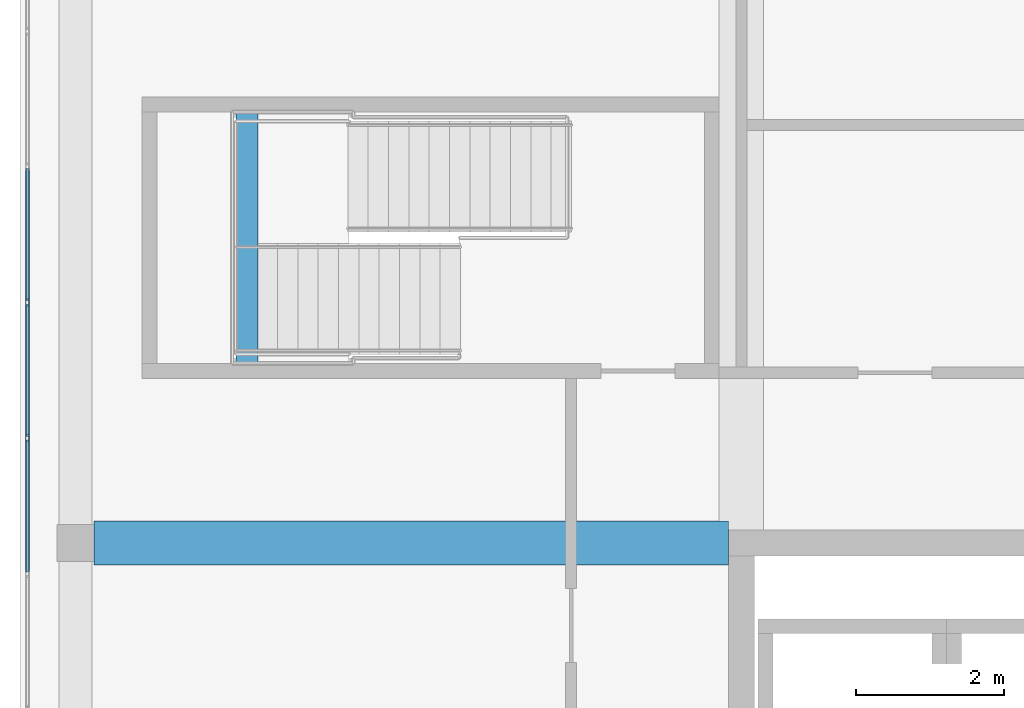
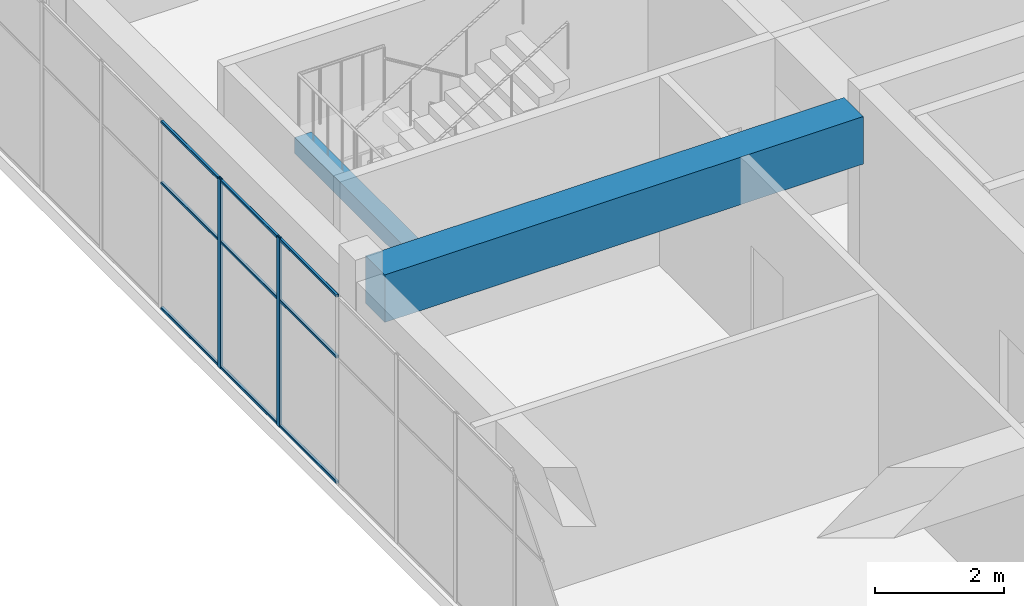
# One storey, part 13 of 36: 11 members, 2 beams, 1 element without a shape of its own.
"""IFC4 building model written with IfcOpenShell, lengths in metres."""

from ifc_helpers import new_model, si_unit, direction, frame, origin, origin_2d, place, context, subcontext, project, spatial, rectangle, hollow_rectangle, extrude, material, layer, layer_set, material_profile, profile_set, type_object, element, aggregate, save


model = new_model("IFC4")

# Units and contexts
model_context = context("Model", 3, precision=1e-05, world=origin(), true_north=direction((0.0, 1.0)))
body_context = subcontext(model_context, "Body", "Model", "MODEL_VIEW")
ifc_project = project(units=[si_unit("LENGTHUNIT", "METRE"), si_unit("AREAUNIT", "SQUARE_METRE"), si_unit("VOLUMEUNIT", "CUBIC_METRE"), si_unit("PLANEANGLEUNIT", "RADIAN"), si_unit("MASSUNIT", "GRAM", prefix="KILO")], contexts=[model_context])

# Site, building, storey
site_placement = place(None, origin())
site = spatial("IfcSite", under=ifc_project, at=site_placement, CompositionType="ELEMENT")
building_placement = place(site_placement, origin())
building = spatial("IfcBuilding", under=site, at=building_placement, Name="Tuart Plaza Theatre", CompositionType="ELEMENT")
storey_placement = place(building_placement, frame((0.0, 0.0, 61.5)))
storey = spatial("IfcBuildingStorey", under=building, at=storey_placement, Name="L15", CompositionType="ELEMENT", Elevation=61.5)

# Beams
ifc_material_1 = material(Name="Concrete N40 (40 MPa)", Category="concrete")
ifc_material_profile_1 = material_profile(ifc_material_1, rectangle(XDim=0.300048828125, YDim=0.300048828125, at=origin_2d()), Name="BEAM 300x300 Concrete N40 (40 MPa)")
ifc_profile_set_1 = profile_set([ifc_material_profile_1], Name="Concrete N40 (40 MPa)")
beam_type_1 = type_object("IfcBeamType", Name="BEAM 300x300 Concrete N40 (40 MPa)", PredefinedType="BEAM", material=ifc_profile_set_1)
beam_1_placement = place(storey_placement, frame((116.320068359375, 88.824951171875, 1.64990234375), z_axis=(0.0, -1.0, 0.0), x_axis=(1.0, 0.0, 0.0)))
element("IfcBeam", 1, at=beam_1_placement, inside=storey, type_object=beam_type_1, Name="RB543", PredefinedType="BEAM", context=body_context, shape_type="SweptSolid", body=[
    extrude(rectangle(XDim=0.300048828125, YDim=0.300048828125, at=origin_2d()), origin(), (0.0, 0.0, 1.0), 3.39990234375),
])
ifc_material_2 = material(Name="Concrete N40 (40 MPa)", Category="concrete")
ifc_material_profile_2 = material_profile(ifc_material_2, rectangle(XDim=0.60009765625, YDim=0.89990234375, at=origin_2d()), Name="BEAM 600x900 Concrete N40 (40 MPa)")
ifc_profile_set_2 = profile_set([ifc_material_profile_2], Name="Concrete N40 (40 MPa)")
beam_type_2 = type_object("IfcBeamType", Name="BEAM 600x900 Concrete N40 (40 MPa)", PredefinedType="BEAM", material=ifc_profile_set_2)
beam_2_placement = place(storey_placement, frame((114.25, 83.0, 3.1298828125), z_axis=(1.0, 0.0, 0.0), x_axis=(0.0, 1.0, 0.0)))
element("IfcBeam", 2, at=beam_2_placement, inside=storey, type_object=beam_type_2, Name="RB323", PredefinedType="BEAM", context=body_context, shape_type="SweptSolid", body=[
    extrude(rectangle(XDim=0.60009765625, YDim=0.89990234375, at=origin_2d()), origin(), (0.0, 0.0, 1.0), 8.574951171875),
])

# Curtain wall, members
ifc_material_3 = material(Name="Aluminium and glass", Category="aluminium")
ifc_layer = layer(ifc_material_3, 0.10009765625)
ifc_layer_set = layer_set([ifc_layer], Name="CURTAIN WALL 1800 module")
curtain_wall_type = type_object("IfcCurtainWallType", Name="CURTAIN WALL 1800 module", PredefinedType="NOTDEFINED", material=ifc_layer_set)
curtain_wall_placement = place(storey_placement, origin())
curtain_wall = element("IfcCurtainWall", 3, at=curtain_wall_placement, inside=storey, type_object=curtain_wall_type, Name="CW118", PredefinedType="NOTDEFINED")
ifc_material_4 = material(Name="Aluminium 6063-T5", Category="aluminium")
ifc_material_profile_3 = material_profile(ifc_material_4, hollow_rectangle(XDim=0.050048828125, YDim=0.10009765625, WallThickness=0.00390625, InnerFilletRadius=0.00390625, OuterFilletRadius=0.008056640625, at=origin_2d()), Name="RHS 100x50x4")
ifc_profile_set_3 = profile_set([ifc_material_profile_3], Name="Aluminium 6063-T5")
member_type_1 = type_object("IfcMemberType", Name="MULLION RHS 100x50x4", PredefinedType="MULLION", material=ifc_profile_set_3)
member_1_placement = place(storey_placement, frame((113.35009765625, 86.25, 0.0), z_axis=(0.0, 0.0, 1.0), x_axis=(1.0, 0.0, 0.0)))
member_1 = element("IfcMember", 4, at=member_1_placement, type_object=member_type_1, Name="CW118 mullion 7", PredefinedType="MULLION", context=body_context, shape_type="SweptSolid", body=[
    extrude(hollow_rectangle(XDim=0.050048828125, YDim=0.10009765625, WallThickness=0.00390625, InnerFilletRadius=0.00390625, OuterFilletRadius=0.008056640625, at=origin_2d()), origin(), (0.0, 0.0, 1.0), 3.580078125),
])
member_2_placement = place(storey_placement, frame((113.35009765625, 84.416748046875, 0.0), z_axis=(0.0, 0.0, 1.0), x_axis=(1.0, 0.0, 0.0)))
member_2 = element("IfcMember", 5, at=member_2_placement, type_object=member_type_1, Name="CW118 mullion 8", PredefinedType="MULLION", context=body_context, shape_type="SweptSolid", body=[
    extrude(hollow_rectangle(XDim=0.050048828125, YDim=0.10009765625, WallThickness=0.00390625, InnerFilletRadius=0.00390625, OuterFilletRadius=0.008056640625, at=origin_2d()), origin(), (0.0, 0.0, 1.0), 3.580078125),
])
ifc_material_5 = material(Name="Aluminium 6063-T5", Category="aluminium")
ifc_material_profile_4 = material_profile(ifc_material_5, hollow_rectangle(XDim=0.050048828125, YDim=0.050048828125, WallThickness=0.00390625, InnerFilletRadius=0.00390625, OuterFilletRadius=0.008056640625, at=origin_2d()), Name="RHS 50x50x4")
ifc_profile_set_4 = profile_set([ifc_material_profile_4], Name="Aluminium 6063-T5")
member_type_2 = type_object("IfcMemberType", Name="TRANSOM RHS 50x50x4", PredefinedType="USERDEFINED", material=ifc_profile_set_4)
member_3_placement = place(storey_placement, frame((113.35009765625, 88.058349609375, 0.02490234375), z_axis=(0.0, -1.0, 0.0), x_axis=(1.0, 0.0, 0.0)))
member_3 = element("IfcMember", 6, at=member_3_placement, type_object=member_type_2, Name="CW118 transom 6.1", ObjectType="TRANSOM", PredefinedType="USERDEFINED", context=body_context, shape_type="SweptSolid", body=[
    extrude(hollow_rectangle(XDim=0.050048828125, YDim=0.050048828125, WallThickness=0.00390625, InnerFilletRadius=0.00390625, OuterFilletRadius=0.008056640625, at=origin_2d()), origin(), (0.0, 0.0, 1.0), 1.783447265625),
])
member_4_placement = place(storey_placement, frame((113.35009765625, 88.058349609375, 2.39990234375), z_axis=(0.0, -1.0, 0.0), x_axis=(1.0, 0.0, 0.0)))
member_4 = element("IfcMember", 7, at=member_4_placement, type_object=member_type_2, Name="CW118 transom 6.2", ObjectType="TRANSOM", PredefinedType="USERDEFINED", context=body_context, shape_type="SweptSolid", body=[
    extrude(hollow_rectangle(XDim=0.050048828125, YDim=0.050048828125, WallThickness=0.00390625, InnerFilletRadius=0.00390625, OuterFilletRadius=0.008056640625, at=origin_2d()), origin(), (0.0, 0.0, 1.0), 1.783447265625),
])
member_5_placement = place(storey_placement, frame((113.35009765625, 88.058349609375, 3.554931640625), z_axis=(0.0, -1.0, 0.0), x_axis=(1.0, 0.0, 0.0)))
member_5 = element("IfcMember", 8, at=member_5_placement, type_object=member_type_2, Name="CW118 transom 6.3", ObjectType="TRANSOM", PredefinedType="USERDEFINED", context=body_context, shape_type="SweptSolid", body=[
    extrude(hollow_rectangle(XDim=0.050048828125, YDim=0.050048828125, WallThickness=0.00390625, InnerFilletRadius=0.00390625, OuterFilletRadius=0.008056640625, at=origin_2d()), origin(), (0.0, 0.0, 1.0), 1.783447265625),
])
member_6_placement = place(storey_placement, frame((113.35009765625, 86.22509765625, 0.02490234375), z_axis=(0.0, -1.0, 0.0), x_axis=(1.0, 0.0, 0.0)))
member_6 = element("IfcMember", 9, at=member_6_placement, type_object=member_type_2, Name="CW118 transom 7.1", ObjectType="TRANSOM", PredefinedType="USERDEFINED", context=body_context, shape_type="SweptSolid", body=[
    extrude(hollow_rectangle(XDim=0.050048828125, YDim=0.050048828125, WallThickness=0.00390625, InnerFilletRadius=0.00390625, OuterFilletRadius=0.008056640625, at=origin_2d()), origin(), (0.0, 0.0, 1.0), 1.783447265625),
])
member_7_placement = place(storey_placement, frame((113.35009765625, 86.22509765625, 2.39990234375), z_axis=(0.0, -1.0, 0.0), x_axis=(1.0, 0.0, 0.0)))
member_7 = element("IfcMember", 10, at=member_7_placement, type_object=member_type_2, Name="CW118 transom 7.2", ObjectType="TRANSOM", PredefinedType="USERDEFINED", context=body_context, shape_type="SweptSolid", body=[
    extrude(hollow_rectangle(XDim=0.050048828125, YDim=0.050048828125, WallThickness=0.00390625, InnerFilletRadius=0.00390625, OuterFilletRadius=0.008056640625, at=origin_2d()), origin(), (0.0, 0.0, 1.0), 1.783447265625),
])
member_8_placement = place(storey_placement, frame((113.35009765625, 86.22509765625, 3.554931640625), z_axis=(0.0, -1.0, 0.0), x_axis=(1.0, 0.0, 0.0)))
member_8 = element("IfcMember", 11, at=member_8_placement, type_object=member_type_2, Name="CW118 transom 7.3", ObjectType="TRANSOM", PredefinedType="USERDEFINED", context=body_context, shape_type="SweptSolid", body=[
    extrude(hollow_rectangle(XDim=0.050048828125, YDim=0.050048828125, WallThickness=0.00390625, InnerFilletRadius=0.00390625, OuterFilletRadius=0.008056640625, at=origin_2d()), origin(), (0.0, 0.0, 1.0), 1.783447265625),
])
member_9_placement = place(storey_placement, frame((113.35009765625, 84.3916015625, 0.02490234375), z_axis=(0.0, -1.0, 0.0), x_axis=(1.0, 0.0, 0.0)))
member_9 = element("IfcMember", 12, at=member_9_placement, type_object=member_type_2, Name="CW118 transom 8.1", ObjectType="TRANSOM", PredefinedType="USERDEFINED", context=body_context, shape_type="SweptSolid", body=[
    extrude(hollow_rectangle(XDim=0.050048828125, YDim=0.050048828125, WallThickness=0.00390625, InnerFilletRadius=0.00390625, OuterFilletRadius=0.008056640625, at=origin_2d()), origin(), (0.0, 0.0, 1.0), 1.783203125),
])
member_10_placement = place(storey_placement, frame((113.35009765625, 84.3916015625, 2.39990234375), z_axis=(0.0, -1.0, 0.0), x_axis=(1.0, 0.0, 0.0)))
member_10 = element("IfcMember", 13, at=member_10_placement, type_object=member_type_2, Name="CW118 transom 8.2", ObjectType="TRANSOM", PredefinedType="USERDEFINED", context=body_context, shape_type="SweptSolid", body=[
    extrude(hollow_rectangle(XDim=0.050048828125, YDim=0.050048828125, WallThickness=0.00390625, InnerFilletRadius=0.00390625, OuterFilletRadius=0.008056640625, at=origin_2d()), origin(), (0.0, 0.0, 1.0), 1.783203125),
])
member_11_placement = place(storey_placement, frame((113.35009765625, 84.3916015625, 3.554931640625), z_axis=(0.0, -1.0, 0.0), x_axis=(1.0, 0.0, 0.0)))
member_11 = element("IfcMember", 14, at=member_11_placement, type_object=member_type_2, Name="CW118 transom 8.3", ObjectType="TRANSOM", PredefinedType="USERDEFINED", context=body_context, shape_type="SweptSolid", body=[
    extrude(hollow_rectangle(XDim=0.050048828125, YDim=0.050048828125, WallThickness=0.00390625, InnerFilletRadius=0.00390625, OuterFilletRadius=0.008056640625, at=origin_2d()), origin(), (0.0, 0.0, 1.0), 1.783203125),
])
aggregate(curtain_wall, [member_1, member_2, member_3, member_4, member_5, member_6, member_7, member_8, member_9, member_10, member_11])

save(model, "model.ifc")
